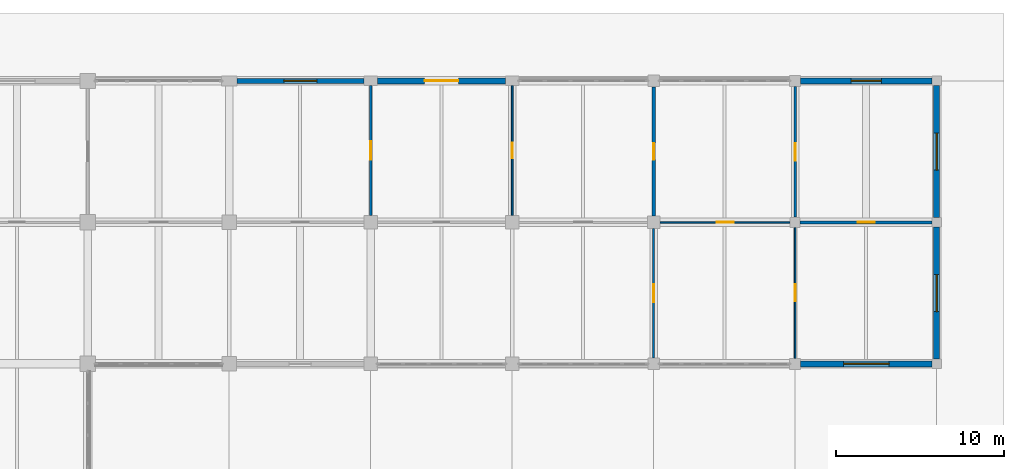
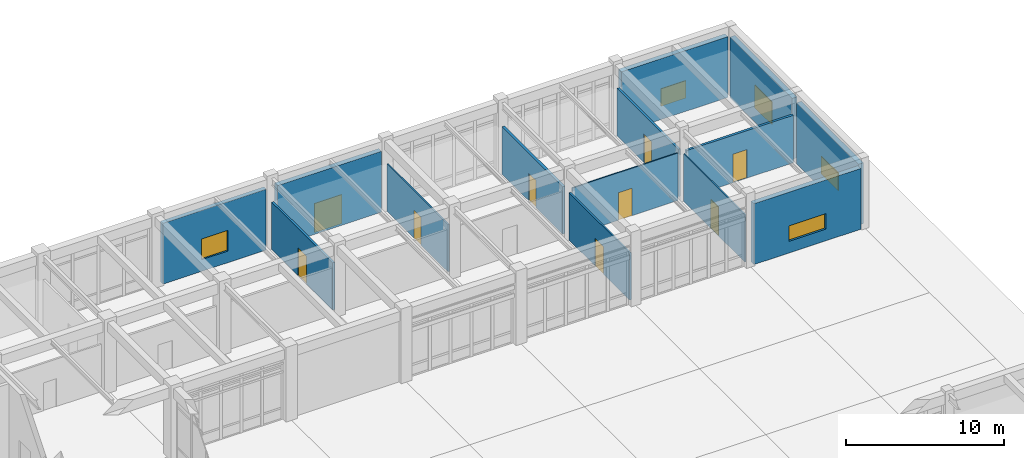
# One storey, part 82 of 91: 14 walls, 9 doors, 5 windows, 14 openings.
"""IFC4 building model written with IfcOpenShell, lengths in metres."""

from ifc_helpers import new_model, si_unit, direction, frame, frame_2d, origin, place, context, subcontext, project, spatial, rectangle, extrude, material, layer, layer_set, type_object, element, fill, save


model = new_model("IFC4")

# Units and contexts
model_context = context("Model", 3, precision=1e-05, world=origin(), true_north=direction((0.0, 1.0)))
body_context = subcontext(model_context, "Body", "Model", "MODEL_VIEW")
ifc_project = project(units=[si_unit("LENGTHUNIT", "METRE"), si_unit("AREAUNIT", "SQUARE_METRE"), si_unit("VOLUMEUNIT", "CUBIC_METRE"), si_unit("PLANEANGLEUNIT", "RADIAN"), si_unit("MASSUNIT", "GRAM", prefix="KILO")], contexts=[model_context])

# Site, building, storey
site_placement = place(None, origin())
site = spatial("IfcSite", under=ifc_project, at=site_placement, CompositionType="ELEMENT")
building_placement = place(site_placement, origin())
building = spatial("IfcBuilding", under=site, at=building_placement, Name="Porcellanite Civic Hall", CompositionType="ELEMENT")
storey_placement = place(building_placement, origin())
storey = spatial("IfcBuildingStorey", under=building, at=storey_placement, Name="L00", CompositionType="ELEMENT", Elevation=0.0)

# Wall, opening, window
ifc_material_1 = material(Name="Precast concrete N40 (40 MPa)", Category="concrete")
ifc_layer_1 = layer(ifc_material_1, 0.300048828125)
ifc_layer_set_1 = layer_set([ifc_layer_1], Name="Precast concrete N40 (40 MPa)")
wall_type_1 = type_object("IfcWallType", Name="EW-ADM300", PredefinedType="SOLIDWALL", material=ifc_layer_set_1)
wall_1_placement = place(storey_placement, frame((134.85107421875, 117.60009765625, 0.0), z_axis=(0.0, 0.0, 1.0), x_axis=(1.0, 0.0, 0.0)))
wall_1 = element("IfcWall", 1, at=wall_1_placement, inside=storey, type_object=wall_type_1, Name="Exterior wall L00 N 17-14", PredefinedType="SOLIDWALL", context=body_context, shape_type="SweptSolid", body=[
    extrude(rectangle(XDim=7.5478515625, YDim=0.300048828125, at=frame_2d((3.77392578125, 0.0))), origin(), (0.0, 0.0, 1.0), 4.699951171875),
])
opening_1_placement = place(wall_1_placement, frame((2.799072265625, 0.0, 0.89990234375)))
opening_1 = element("IfcOpeningElement", 2, at=opening_1_placement, cuts=wall_1, Name="Opening W35", PredefinedType="OPENING", context=body_context, shape_type="SweptSolid", body=[
    extrude(rectangle(XDim=1.949951171875, YDim=1.60009765625, at=frame_2d((0.97509765625, 0.800048828125))), frame((0.0, 0.14990234375, 0.0), z_axis=(0.0, -1.0, 0.0), x_axis=(1.0, 0.0, 0.0)), (0.0, 0.0, 1.0), 0.300048828125),
])
ifc_material_2 = material(Name="Cyclone laminated low-E glazing in anodised aluminium frame", Category="aluminium")
window_type_1 = type_object("IfcWindowType", Name="WN-35", PartitioningType="DOUBLE_PANEL_VERTICAL", PredefinedType="WINDOW", material=ifc_material_2)
window_1_placement = place(opening_1_placement, origin())
window_1 = element("IfcWindow", 3, at=window_1_placement, inside=storey, type_object=window_type_1, Name="Window W35 L00 N 17-14", OverallHeight=1.60009765625, OverallWidth=1.949951171875, PartitioningType="SINGLE_PANEL", PredefinedType="WINDOW", context=body_context, shape_type="SweptSolid", body=[
    extrude(rectangle(XDim=1.949951171875, YDim=1.60009765625, at=frame_2d((0.97509765625, 0.800048828125))), frame((0.0, 0.030029296875, 0.0), z_axis=(0.0, -1.0, 0.0), x_axis=(1.0, 0.0, 0.0)), (0.0, 0.0, 1.0), 0.06005859375),
])
fill(opening_1, window_1)

# Wall, opening, door
ifc_material_3 = material(Name="Precast concrete N40 (40 MPa)", Category="concrete")
ifc_layer_2 = layer(ifc_material_3, 0.360107421875)
ifc_layer_set_2 = layer_set([ifc_layer_2], Name="Precast concrete N40 (40 MPa)")
wall_type_2 = type_object("IfcWallType", Name="EW-LIB360", PredefinedType="SOLIDWALL", material=ifc_layer_set_2)
wall_2_placement = place(storey_placement, frame((143.200927734375, 117.60009765625, 0.0), z_axis=(0.0, 0.0, 1.0), x_axis=(1.0, 0.0, 0.0)))
wall_2 = element("IfcWall", 4, at=wall_2_placement, inside=storey, type_object=wall_type_2, Name="Exterior wall L00 N 18-14", PredefinedType="SOLIDWALL", context=body_context, shape_type="SweptSolid", body=[
    extrude(rectangle(XDim=7.59814453125, YDim=0.360107421875, at=frame_2d((3.799072265625, 0.0))), origin(), (0.0, 0.0, 1.0), 4.699951171875),
])
opening_2_placement = place(wall_2_placement, frame((2.799072265625, 0.0, 0.0)))
opening_2 = element("IfcOpeningElement", 5, at=opening_2_placement, cuts=wall_2, Name="Opening ED-20", PredefinedType="OPENING", context=body_context, shape_type="SweptSolid", body=[
    extrude(rectangle(XDim=2.0, YDim=2.25, at=frame_2d((1.0, 1.125))), frame((0.0, 0.18017578125, 0.0), z_axis=(0.0, -1.0, 0.0), x_axis=(1.0, 0.0, 0.0)), (0.0, 0.0, 1.0), 0.360107421875),
])
ifc_material_4 = material(Name="Anodised aluminium and laminated safety glass", Category="aluminium")
door_type_1 = type_object("IfcDoorType", Name="DR-EXIT180", OperationType="DOUBLE_DOOR_SINGLE_SWING", PredefinedType="DOOR", material=ifc_material_4)
door_1_placement = place(opening_2_placement, origin())
door_1 = element("IfcDoor", 6, at=door_1_placement, inside=storey, type_object=door_type_1, Name="Pedestrian final exit door ED-20", OperationType="DOUBLE_DOOR_SINGLE_SWING", OverallHeight=2.25, OverallWidth=2.0, PredefinedType="DOOR", context=body_context, shape_type="SweptSolid", body=[
    extrude(rectangle(XDim=2.0, YDim=2.25, at=frame_2d((1.0, 1.125))), frame((0.0, 0.02490234375, 0.0), z_axis=(0.0, -1.0, 0.0), x_axis=(1.0, 0.0, 0.0)), (0.0, 0.0, 1.0), 0.050048828125),
])
fill(opening_2, door_1)

# Wall, opening, window
wall_3_placement = place(storey_placement, frame((176.1240234375, 100.800048828125, 0.0), z_axis=(0.0, 0.0, 1.0), x_axis=(-1.0, 0.0, 0.0)))
wall_3 = element("IfcWall", 7, at=wall_3_placement, inside=storey, type_object=wall_type_2, Name="Exterior wall L00 S 21-13", PredefinedType="SOLIDWALL", context=body_context, shape_type="SweptSolid", body=[
    extrude(rectangle(XDim=7.798095703125, YDim=0.360107421875, at=frame_2d((3.89892578125, 0.0))), origin(), (0.0, 0.0, 1.0), 4.699951171875),
])
opening_3_placement = place(wall_3_placement, frame((2.549072265625, 0.0, 0.89990234375)))
opening_3 = element("IfcOpeningElement", 8, at=opening_3_placement, cuts=wall_3, Name="Opening W10", PredefinedType="OPENING", context=body_context, shape_type="SweptSolid", body=[
    extrude(rectangle(XDim=2.699951171875, YDim=1.199951171875, at=frame_2d((1.35009765625, 0.60009765625))), frame((0.0, 0.18017578125, 0.0), z_axis=(0.0, -1.0, 0.0), x_axis=(1.0, 0.0, 0.0)), (0.0, 0.0, 1.0), 0.360107421875),
])
ifc_material_5 = material(Name="Cyclone laminated low-E glazing in anodised aluminium frame", Category="aluminium")
window_type_2 = type_object("IfcWindowType", Name="WN-10", PartitioningType="DOUBLE_PANEL_HORIZONTAL", PredefinedType="WINDOW", material=ifc_material_5)
window_2_placement = place(opening_3_placement, origin())
window_2 = element("IfcWindow", 9, at=window_2_placement, inside=storey, type_object=window_type_2, Name="Window W10 L00 S 21-13", OverallHeight=1.199951171875, OverallWidth=2.699951171875, PartitioningType="SINGLE_PANEL", PredefinedType="WINDOW", context=body_context, shape_type="SweptSolid", body=[
    extrude(rectangle(XDim=2.699951171875, YDim=1.199951171875, at=frame_2d((1.35009765625, 0.60009765625))), frame((0.0, 0.030029296875, 0.0), z_axis=(0.0, -1.0, 0.0), x_axis=(1.0, 0.0, 0.0)), (0.0, 0.0, 1.0), 0.06005859375),
])
fill(opening_3, window_2)

wall_4_placement = place(storey_placement, frame((176.39990234375, 108.924072265625, 0.0), z_axis=(0.0, 0.0, 1.0), x_axis=(0.0, -1.0, 0.0)))
wall_4 = element("IfcWall", 10, at=wall_4_placement, inside=storey, type_object=wall_type_2, Name="Exterior wall L00 E 21-13", PredefinedType="SOLIDWALL", context=body_context, shape_type="SweptSolid", body=[
    extrude(rectangle(XDim=7.84814453125, YDim=0.360107421875, at=frame_2d((3.924072265625, 0.0))), origin(), (0.0, 0.0, 1.0), 4.699951171875),
])
opening_4_placement = place(wall_4_placement, frame((2.823974609375, 0.0, 0.89990234375)))
opening_4 = element("IfcOpeningElement", 11, at=opening_4_placement, cuts=wall_4, Name="Opening W11", PredefinedType="OPENING", context=body_context, shape_type="SweptSolid", body=[
    extrude(rectangle(XDim=2.199951171875, YDim=1.35009765625, at=frame_2d((1.10009765625, 0.675048828125))), frame((0.0, 0.18017578125, 0.0), z_axis=(0.0, -1.0, 0.0), x_axis=(1.0, 0.0, 0.0)), (0.0, 0.0, 1.0), 0.360107421875),
])
ifc_material_6 = material(Name="Cyclone laminated low-E glazing in anodised aluminium frame", Category="aluminium")
window_type_3 = type_object("IfcWindowType", Name="WN-11", PartitioningType="DOUBLE_PANEL_HORIZONTAL", PredefinedType="WINDOW", material=ifc_material_6)
window_3_placement = place(opening_4_placement, origin())
window_3 = element("IfcWindow", 12, at=window_3_placement, inside=storey, type_object=window_type_3, Name="Window W11 L00 E 21-13", OverallHeight=1.35009765625, OverallWidth=2.199951171875, PartitioningType="SINGLE_PANEL", PredefinedType="WINDOW", context=body_context, shape_type="SweptSolid", body=[
    extrude(rectangle(XDim=2.199951171875, YDim=1.35009765625, at=frame_2d((1.10009765625, 0.675048828125))), frame((0.0, 0.030029296875, 0.0), z_axis=(0.0, -1.0, 0.0), x_axis=(1.0, 0.0, 0.0)), (0.0, 0.0, 1.0), 0.06005859375),
])
fill(opening_4, window_3)

wall_5_placement = place(storey_placement, frame((168.325927734375, 117.60009765625, 0.0), z_axis=(0.0, 0.0, 1.0), x_axis=(1.0, 0.0, 0.0)))
wall_5 = element("IfcWall", 13, at=wall_5_placement, inside=storey, type_object=wall_type_2, Name="Exterior wall L00 N 21-14", PredefinedType="SOLIDWALL", context=body_context, shape_type="SweptSolid", body=[
    extrude(rectangle(XDim=7.798095703125, YDim=0.360107421875, at=frame_2d((3.89892578125, 0.0))), origin(), (0.0, 0.0, 1.0), 4.699951171875),
])
opening_5_placement = place(wall_5_placement, frame((2.9990234375, 0.0, 0.89990234375)))
opening_5 = element("IfcOpeningElement", 14, at=opening_5_placement, cuts=wall_5, Name="Opening W12", PredefinedType="OPENING", context=body_context, shape_type="SweptSolid", body=[
    extrude(rectangle(XDim=1.800048828125, YDim=1.35009765625, at=frame_2d((0.89990234375, 0.675048828125))), frame((0.0, 0.18017578125, 0.0), z_axis=(0.0, -1.0, 0.0), x_axis=(1.0, 0.0, 0.0)), (0.0, 0.0, 1.0), 0.360107421875),
])
ifc_material_7 = material(Name="Cyclone laminated low-E glazing in anodised aluminium frame", Category="aluminium")
window_type_4 = type_object("IfcWindowType", Name="WN-12", PartitioningType="DOUBLE_PANEL_VERTICAL", PredefinedType="WINDOW", material=ifc_material_7)
window_4_placement = place(opening_5_placement, origin())
window_4 = element("IfcWindow", 15, at=window_4_placement, inside=storey, type_object=window_type_4, Name="Window W12 L00 N 21-14", OverallHeight=1.35009765625, OverallWidth=1.800048828125, PartitioningType="SINGLE_PANEL", PredefinedType="WINDOW", context=body_context, shape_type="SweptSolid", body=[
    extrude(rectangle(XDim=1.800048828125, YDim=1.35009765625, at=frame_2d((0.89990234375, 0.675048828125))), frame((0.0, 0.030029296875, 0.0), z_axis=(0.0, -1.0, 0.0), x_axis=(1.0, 0.0, 0.0)), (0.0, 0.0, 1.0), 0.06005859375),
])
fill(opening_5, window_4)

wall_6_placement = place(storey_placement, frame((176.39990234375, 117.323974609375, 0.0), z_axis=(0.0, 0.0, 1.0), x_axis=(0.0, -1.0, 0.0)))
wall_6 = element("IfcWall", 16, at=wall_6_placement, inside=storey, type_object=wall_type_2, Name="Exterior wall L00 E 21-14", PredefinedType="SOLIDWALL", context=body_context, shape_type="SweptSolid", body=[
    extrude(rectangle(XDim=7.847900390625, YDim=0.360107421875, at=frame_2d((3.923828125, 0.0))), origin(), (0.0, 0.0, 1.0), 4.699951171875),
])
opening_6_placement = place(wall_6_placement, frame((2.823974609375, 0.0, 0.89990234375)))
opening_6 = element("IfcOpeningElement", 17, at=opening_6_placement, cuts=wall_6, Name="Opening W13", PredefinedType="OPENING", context=body_context, shape_type="SweptSolid", body=[
    extrude(rectangle(XDim=2.199951171875, YDim=1.75, at=frame_2d((1.10009765625, 0.875))), frame((0.0, 0.18017578125, 0.0), z_axis=(0.0, -1.0, 0.0), x_axis=(1.0, 0.0, 0.0)), (0.0, 0.0, 1.0), 0.360107421875),
])
ifc_material_8 = material(Name="Cyclone laminated low-E glazing in anodised aluminium frame", Category="aluminium")
window_type_5 = type_object("IfcWindowType", Name="WN-13", PartitioningType="DOUBLE_PANEL_VERTICAL", PredefinedType="WINDOW", material=ifc_material_8)
window_5_placement = place(opening_6_placement, origin())
window_5 = element("IfcWindow", 18, at=window_5_placement, inside=storey, type_object=window_type_5, Name="Window W13 L00 E 21-14", OverallHeight=1.75, OverallWidth=2.199951171875, PartitioningType="SINGLE_PANEL", PredefinedType="WINDOW", context=body_context, shape_type="SweptSolid", body=[
    extrude(rectangle(XDim=2.199951171875, YDim=1.75, at=frame_2d((1.10009765625, 0.875))), frame((0.0, 0.030029296875, 0.0), z_axis=(0.0, -1.0, 0.0), x_axis=(1.0, 0.0, 0.0)), (0.0, 0.0, 1.0), 0.06005859375),
])
fill(opening_6, window_5)

# Wall, opening, door
ifc_material_9 = material(Name="Fire-rated plasterboard on light-gauge steel studs", Category="steel")
ifc_layer_3 = layer(ifc_material_9, 0.159912109375)
ifc_layer_set_3 = layer_set([ifc_layer_3], Name="Fire-rated plasterboard on light-gauge steel studs")
wall_type_3 = type_object("IfcWallType", Name="IW-FR160", PredefinedType="PARTITIONING", material=ifc_layer_set_3)
wall_7_placement = place(storey_placement, frame((142.800048828125, 109.60205078125, 0.0), z_axis=(0.0, 0.0, 1.0), x_axis=(0.0, 1.0, 0.0)))
wall_7 = element("IfcWall", 19, at=wall_7_placement, inside=storey, type_object=wall_type_3, Name="Fire compartment wall L00 V 17-14", PredefinedType="PARTITIONING", context=body_context, shape_type="SweptSolid", body=[
    extrude(rectangle(XDim=7.720947265625, YDim=0.159912109375, at=frame_2d((3.8603515625, 0.0))), origin(), (0.0, 0.0, 1.0), 3.659912109375),
])
opening_7_placement = place(wall_7_placement, frame((3.31103515625, 0.0, 0.0)))
opening_7 = element("IfcOpeningElement", 20, at=opening_7_placement, cuts=wall_7, Name="Opening D-L00-132", PredefinedType="OPENING", context=body_context, shape_type="SweptSolid", body=[
    extrude(rectangle(XDim=1.10009765625, YDim=2.14990234375, at=frame_2d((0.550048828125, 1.074951171875))), frame((0.0, 0.080078125, 0.0), z_axis=(0.0, -1.0, 0.0), x_axis=(1.0, 0.0, 0.0)), (0.0, 0.0, 1.0), 0.159912109375),
])
ifc_material_10 = material(Name="Fire-rated solid-core hardwood timber", Category="wood")
door_type_2 = type_object("IfcDoorType", Name="DR-FD110", OperationType="NOTDEFINED", PredefinedType="DOOR", material=ifc_material_10)
door_2_placement = place(opening_7_placement, origin())
door_2 = element("IfcDoor", 21, at=door_2_placement, inside=storey, type_object=door_type_2, Name="Interior door D-L00-132", OperationType="SINGLE_SWING_RIGHT", OverallHeight=2.14990234375, OverallWidth=1.10009765625, PredefinedType="DOOR", context=body_context, shape_type="SweptSolid", body=[
    extrude(rectangle(XDim=1.10009765625, YDim=2.14990234375, at=frame_2d((0.550048828125, 1.074951171875))), frame((0.0, 0.02490234375, 0.0), z_axis=(0.0, -1.0, 0.0), x_axis=(1.0, 0.0, 0.0)), (0.0, 0.0, 1.0), 0.050048828125),
])
fill(opening_7, door_2)

ifc_material_11 = material(Name="Insulated acoustic plasterboard on light-gauge steel studs", Category="steel")
ifc_layer_4 = layer(ifc_material_11, 0.094970703125)
ifc_layer_set_4 = layer_set([ifc_layer_4], Name="Insulated acoustic plasterboard on light-gauge steel studs")
wall_type_4 = type_object("IfcWallType", Name="IW-PT095", PredefinedType="PARTITIONING", material=ifc_layer_set_4)
wall_8_placement = place(storey_placement, frame((159.97705078125, 109.199951171875, 0.0), z_axis=(0.0, 0.0, 1.0), x_axis=(1.0, 0.0, 0.0)))
wall_8 = element("IfcWall", 22, at=wall_8_placement, inside=storey, type_object=wall_type_4, Name="Partition L00 H 20-13", PredefinedType="PARTITIONING", context=body_context, shape_type="SweptSolid", body=[
    extrude(rectangle(XDim=7.720947265625, YDim=0.094970703125, at=frame_2d((3.8603515625, 0.0))), origin(), (0.0, 0.0, 1.0), 3.659912109375),
])
opening_8_placement = place(wall_8_placement, frame((3.35595703125, 0.0, 0.0)))
opening_8 = element("IfcOpeningElement", 23, at=opening_8_placement, cuts=wall_8, Name="Opening D-L00-114", PredefinedType="OPENING", context=body_context, shape_type="SweptSolid", body=[
    extrude(rectangle(XDim=1.010009765625, YDim=2.1201171875, at=frame_2d((0.5048828125, 1.06005859375))), frame((0.0, 0.04736328125, 0.0), z_axis=(0.0, -1.0, 0.0), x_axis=(1.0, 0.0, 0.0)), (0.0, 0.0, 1.0), 0.094970703125),
])
ifc_material_12 = material(Name="Solid-core spotted-gum timber", Category="wood")
door_type_3 = type_object("IfcDoorType", Name="DR-RM101", OperationType="NOTDEFINED", PredefinedType="DOOR", material=ifc_material_12)
door_3_placement = place(opening_8_placement, origin())
door_3 = element("IfcDoor", 24, at=door_3_placement, inside=storey, type_object=door_type_3, Name="Interior door D-L00-114", OperationType="SINGLE_SWING_LEFT", OverallHeight=2.1201171875, OverallWidth=1.010009765625, PredefinedType="DOOR", context=body_context, shape_type="SweptSolid", body=[
    extrude(rectangle(XDim=1.010009765625, YDim=2.1201171875, at=frame_2d((0.5048828125, 1.06005859375))), frame((0.0, 0.02490234375, 0.0), z_axis=(0.0, -1.0, 0.0), x_axis=(1.0, 0.0, 0.0)), (0.0, 0.0, 1.0), 0.050048828125),
])
fill(opening_8, door_3)

wall_9_placement = place(storey_placement, frame((168.0, 101.126953125, 0.0), z_axis=(0.0, 0.0, 1.0), x_axis=(0.0, 1.0, 0.0)))
wall_9 = element("IfcWall", 25, at=wall_9_placement, inside=storey, type_object=wall_type_4, Name="Partition L00 V 20-13", PredefinedType="PARTITIONING", context=body_context, shape_type="SweptSolid", body=[
    extrude(rectangle(XDim=7.77099609375, YDim=0.094970703125, at=frame_2d((3.885498046875, 0.0))), origin(), (0.0, 0.0, 1.0), 3.659912109375),
])
opening_9_placement = place(wall_9_placement, frame((3.385009765625, 0.0, 0.0)))
opening_9 = element("IfcOpeningElement", 26, at=opening_9_placement, cuts=wall_9, Name="Opening D-L00-134", PredefinedType="OPENING", context=body_context, shape_type="SweptSolid", body=[
    extrude(rectangle(XDim=1.0, YDim=2.199951171875, at=frame_2d((0.5, 1.10009765625))), frame((0.0, 0.04736328125, 0.0), z_axis=(0.0, -1.0, 0.0), x_axis=(1.0, 0.0, 0.0)), (0.0, 0.0, 1.0), 0.094970703125),
])
ifc_material_13 = material(Name="Solid-core spotted-gum timber", Category="wood")
door_type_4 = type_object("IfcDoorType", Name="DR-RM100", OperationType="NOTDEFINED", PredefinedType="DOOR", material=ifc_material_13)
door_4_placement = place(opening_9_placement, origin())
door_4 = element("IfcDoor", 27, at=door_4_placement, inside=storey, type_object=door_type_4, Name="Interior door D-L00-134", OperationType="SINGLE_SWING_RIGHT", OverallHeight=2.199951171875, OverallWidth=1.0, PredefinedType="DOOR", context=body_context, shape_type="SweptSolid", body=[
    extrude(rectangle(XDim=1.0, YDim=2.199951171875, at=frame_2d((0.5, 1.10009765625))), frame((0.0, 0.02490234375, 0.0), z_axis=(0.0, -1.0, 0.0), x_axis=(1.0, 0.0, 0.0)), (0.0, 0.0, 1.0), 0.050048828125),
])
fill(opening_9, door_4)

ifc_material_14 = material(Name="Insulated acoustic plasterboard on light-gauge steel studs", Category="steel")
ifc_layer_5 = layer(ifc_material_14, 0.10498046875)
ifc_layer_set_5 = layer_set([ifc_layer_5], Name="Insulated acoustic plasterboard on light-gauge steel studs")
wall_type_5 = type_object("IfcWallType", Name="IW-PT105", PredefinedType="PARTITIONING", material=ifc_layer_set_5)
wall_10_placement = place(storey_placement, frame((151.199951171875, 109.60205078125, 0.0), z_axis=(0.0, 0.0, 1.0), x_axis=(0.0, 1.0, 0.0)))
wall_10 = element("IfcWall", 28, at=wall_10_placement, inside=storey, type_object=wall_type_5, Name="Partition L00 V 18-14", PredefinedType="PARTITIONING", context=body_context, shape_type="SweptSolid", body=[
    extrude(rectangle(XDim=7.720947265625, YDim=0.10498046875, at=frame_2d((3.8603515625, 0.0))), origin(), (0.0, 0.0, 1.0), 3.659912109375),
])
opening_10_placement = place(wall_10_placement, frame((3.40087890625, 0.0, 0.0)))
opening_10 = element("IfcOpeningElement", 29, at=opening_10_placement, cuts=wall_10, Name="Opening D-L00-164", PredefinedType="OPENING", context=body_context, shape_type="SweptSolid", body=[
    extrude(rectangle(XDim=0.919921875, YDim=2.14990234375, at=frame_2d((0.4599609375, 1.074951171875))), frame((0.0, 0.052490234375, 0.0), z_axis=(0.0, -1.0, 0.0), x_axis=(1.0, 0.0, 0.0)), (0.0, 0.0, 1.0), 0.10498046875),
])
ifc_material_15 = material(Name="Solid-core spotted-gum timber", Category="wood")
door_type_5 = type_object("IfcDoorType", Name="DR-RM092", OperationType="NOTDEFINED", PredefinedType="DOOR", material=ifc_material_15)
door_5_placement = place(opening_10_placement, origin())
door_5 = element("IfcDoor", 30, at=door_5_placement, inside=storey, type_object=door_type_5, Name="Interior door D-L00-164", OperationType="SINGLE_SWING_RIGHT", OverallHeight=2.14990234375, OverallWidth=0.919921875, PredefinedType="DOOR", context=body_context, shape_type="SweptSolid", body=[
    extrude(rectangle(XDim=0.919921875, YDim=2.14990234375, at=frame_2d((0.4599609375, 1.074951171875))), frame((0.0, 0.02490234375, 0.0), z_axis=(0.0, -1.0, 0.0), x_axis=(1.0, 0.0, 0.0)), (0.0, 0.0, 1.0), 0.050048828125),
])
fill(opening_10, door_5)

ifc_material_16 = material(Name="Insulated acoustic plasterboard on light-gauge steel studs", Category="steel")
ifc_layer_6 = layer(ifc_material_16, 0.125)
ifc_layer_set_6 = layer_set([ifc_layer_6], Name="Insulated acoustic plasterboard on light-gauge steel studs")
wall_type_6 = type_object("IfcWallType", Name="IW-PT125", PredefinedType="PARTITIONING", material=ifc_layer_set_6)
wall_11_placement = place(storey_placement, frame((159.60009765625, 101.152099609375, 0.0), z_axis=(0.0, 0.0, 1.0), x_axis=(0.0, 1.0, 0.0)))
wall_11 = element("IfcWall", 31, at=wall_11_placement, inside=storey, type_object=wall_type_6, Name="Partition L00 V 19-13", PredefinedType="PARTITIONING", context=body_context, shape_type="SweptSolid", body=[
    extrude(rectangle(XDim=7.6708984375, YDim=0.125, at=frame_2d((3.83544921875, 0.0))), origin(), (0.0, 0.0, 1.0), 3.659912109375),
])
opening_11_placement = place(wall_11_placement, frame((3.31103515625, 0.0, 0.0)))
opening_11 = element("IfcOpeningElement", 32, at=opening_11_placement, cuts=wall_11, Name="Opening D-L00-087", PredefinedType="OPENING", context=body_context, shape_type="SweptSolid", body=[
    extrude(rectangle(XDim=1.050048828125, YDim=2.1201171875, at=frame_2d((0.52490234375, 1.06005859375))), frame((0.0, 0.0625, 0.0), z_axis=(0.0, -1.0, 0.0), x_axis=(1.0, 0.0, 0.0)), (0.0, 0.0, 1.0), 0.125),
])
ifc_material_17 = material(Name="Solid-core spotted-gum timber", Category="wood")
door_type_6 = type_object("IfcDoorType", Name="DR-RM105", OperationType="NOTDEFINED", PredefinedType="DOOR", material=ifc_material_17)
door_6_placement = place(opening_11_placement, origin())
door_6 = element("IfcDoor", 33, at=door_6_placement, inside=storey, type_object=door_type_6, Name="Interior door D-L00-087", OperationType="SINGLE_SWING_RIGHT", OverallHeight=2.1201171875, OverallWidth=1.050048828125, PredefinedType="DOOR", context=body_context, shape_type="SweptSolid", body=[
    extrude(rectangle(XDim=1.050048828125, YDim=2.1201171875, at=frame_2d((0.52490234375, 1.06005859375))), frame((0.0, 0.02490234375, 0.0), z_axis=(0.0, -1.0, 0.0), x_axis=(1.0, 0.0, 0.0)), (0.0, 0.0, 1.0), 0.050048828125),
])
fill(opening_11, door_6)

ifc_material_18 = material(Name="Insulated acoustic plasterboard on light-gauge steel studs", Category="steel")
ifc_layer_7 = layer(ifc_material_18, 0.1650390625)
ifc_layer_set_7 = layer_set([ifc_layer_7], Name="Insulated acoustic plasterboard on light-gauge steel studs")
wall_type_7 = type_object("IfcWallType", Name="IW-PT165", PredefinedType="PARTITIONING", material=ifc_layer_set_7)
wall_12_placement = place(storey_placement, frame((168.0, 109.501953125, 0.0), z_axis=(0.0, 0.0, 1.0), x_axis=(0.0, 1.0, 0.0)))
wall_12 = element("IfcWall", 34, at=wall_12_placement, inside=storey, type_object=wall_type_7, Name="Partition L00 V 20-14", PredefinedType="PARTITIONING", context=body_context, shape_type="SweptSolid", body=[
    extrude(rectangle(XDim=7.77099609375, YDim=0.1650390625, at=frame_2d((3.885498046875, 0.0))), origin(), (0.0, 0.0, 1.0), 3.659912109375),
])
opening_12_placement = place(wall_12_placement, frame((3.364990234375, 0.0, 0.0)))
opening_12 = element("IfcOpeningElement", 35, at=opening_12_placement, cuts=wall_12, Name="Opening D-L00-171", PredefinedType="OPENING", context=body_context, shape_type="SweptSolid", body=[
    extrude(rectangle(XDim=1.0400390625, YDim=2.199951171875, at=frame_2d((0.52001953125, 1.10009765625))), frame((0.0, 0.08251953125, 0.0), z_axis=(0.0, -1.0, 0.0), x_axis=(1.0, 0.0, 0.0)), (0.0, 0.0, 1.0), 0.1650390625),
])
ifc_material_19 = material(Name="Solid-core spotted-gum timber", Category="wood")
door_type_7 = type_object("IfcDoorType", Name="DR-RM104", OperationType="NOTDEFINED", PredefinedType="DOOR", material=ifc_material_19)
door_7_placement = place(opening_12_placement, origin())
door_7 = element("IfcDoor", 36, at=door_7_placement, inside=storey, type_object=door_type_7, Name="Interior door D-L00-171", OperationType="SINGLE_SWING_LEFT", OverallHeight=2.199951171875, OverallWidth=1.0400390625, PredefinedType="DOOR", context=body_context, shape_type="SweptSolid", body=[
    extrude(rectangle(XDim=1.0400390625, YDim=2.199951171875, at=frame_2d((0.52001953125, 1.10009765625))), frame((0.0, 0.02490234375, 0.0), z_axis=(0.0, -1.0, 0.0), x_axis=(1.0, 0.0, 0.0)), (0.0, 0.0, 1.0), 0.050048828125),
])
fill(opening_12, door_7)

ifc_material_20 = material(Name="Insulated acoustic plasterboard on light-gauge steel studs", Category="steel")
ifc_layer_8 = layer(ifc_material_20, 0.18505859375)
ifc_layer_set_8 = layer_set([ifc_layer_8], Name="Insulated acoustic plasterboard on light-gauge steel studs")
wall_type_8 = type_object("IfcWallType", Name="IW-PT185", PredefinedType="PARTITIONING", material=ifc_layer_set_8)
wall_13_placement = place(storey_placement, frame((168.302001953125, 109.199951171875, 0.0), z_axis=(0.0, 0.0, 1.0), x_axis=(1.0, 0.0, 0.0)))
wall_13 = element("IfcWall", 37, at=wall_13_placement, inside=storey, type_object=wall_type_8, Name="Partition L00 H 21-13", PredefinedType="PARTITIONING", context=body_context, shape_type="SweptSolid", body=[
    extrude(rectangle(XDim=7.821044921875, YDim=0.18505859375, at=frame_2d((3.91064453125, 0.0))), origin(), (0.0, 0.0, 1.0), 3.659912109375),
])
opening_13_placement = place(wall_13_placement, frame((3.40087890625, 0.0, 0.0)))
opening_13 = element("IfcOpeningElement", 38, at=opening_13_placement, cuts=wall_13, Name="Opening D-L00-120", PredefinedType="OPENING", context=body_context, shape_type="SweptSolid", body=[
    extrude(rectangle(XDim=1.02001953125, YDim=2.199951171875, at=frame_2d((0.510009765625, 1.10009765625))), frame((0.0, 0.092529296875, 0.0), z_axis=(0.0, -1.0, 0.0), x_axis=(1.0, 0.0, 0.0)), (0.0, 0.0, 1.0), 0.18505859375),
])
ifc_material_21 = material(Name="Solid-core spotted-gum timber", Category="wood")
door_type_8 = type_object("IfcDoorType", Name="DR-RM102", OperationType="NOTDEFINED", PredefinedType="DOOR", material=ifc_material_21)
door_8_placement = place(opening_13_placement, origin())
door_8 = element("IfcDoor", 39, at=door_8_placement, inside=storey, type_object=door_type_8, Name="Interior door D-L00-120", OperationType="SINGLE_SWING_LEFT", OverallHeight=2.199951171875, OverallWidth=1.02001953125, PredefinedType="DOOR", context=body_context, shape_type="SweptSolid", body=[
    extrude(rectangle(XDim=1.02001953125, YDim=2.199951171875, at=frame_2d((0.510009765625, 1.10009765625))), frame((0.0, 0.02490234375, 0.0), z_axis=(0.0, -1.0, 0.0), x_axis=(1.0, 0.0, 0.0)), (0.0, 0.0, 1.0), 0.050048828125),
])
fill(opening_13, door_8)

ifc_material_22 = material(Name="Insulated acoustic plasterboard on light-gauge steel studs", Category="steel")
ifc_layer_9 = layer(ifc_material_22, 0.195068359375)
ifc_layer_set_9 = layer_set([ifc_layer_9], Name="Insulated acoustic plasterboard on light-gauge steel studs")
wall_type_9 = type_object("IfcWallType", Name="IW-PT195", PredefinedType="PARTITIONING", material=ifc_layer_set_9)
wall_14_placement = place(storey_placement, frame((159.60009765625, 109.576904296875, 0.0), z_axis=(0.0, 0.0, 1.0), x_axis=(0.0, 1.0, 0.0)))
wall_14 = element("IfcWall", 40, at=wall_14_placement, inside=storey, type_object=wall_type_9, Name="Partition L00 V 19-14", PredefinedType="PARTITIONING", context=body_context, shape_type="SweptSolid", body=[
    extrude(rectangle(XDim=7.671142578125, YDim=0.195068359375, at=frame_2d((3.83544921875, 0.0))), origin(), (0.0, 0.0, 1.0), 3.659912109375),
])
opening_14_placement = place(wall_14_placement, frame((3.35107421875, 0.0, 0.0)))
opening_14 = element("IfcOpeningElement", 41, at=opening_14_placement, cuts=wall_14, Name="Opening D-L00-167", PredefinedType="OPENING", context=body_context, shape_type="SweptSolid", body=[
    extrude(rectangle(XDim=0.969970703125, YDim=2.1201171875, at=frame_2d((0.48486328125, 1.06005859375))), frame((0.0, 0.09765625, 0.0), z_axis=(0.0, -1.0, 0.0), x_axis=(1.0, 0.0, 0.0)), (0.0, 0.0, 1.0), 0.195068359375),
])
ifc_material_23 = material(Name="Solid-core spotted-gum timber", Category="wood")
door_type_9 = type_object("IfcDoorType", Name="DR-RM097", OperationType="NOTDEFINED", PredefinedType="DOOR", material=ifc_material_23)
door_9_placement = place(opening_14_placement, origin())
door_9 = element("IfcDoor", 42, at=door_9_placement, inside=storey, type_object=door_type_9, Name="Interior door D-L00-167", OperationType="SINGLE_SWING_LEFT", OverallHeight=2.1201171875, OverallWidth=0.969970703125, PredefinedType="DOOR", context=body_context, shape_type="SweptSolid", body=[
    extrude(rectangle(XDim=0.969970703125, YDim=2.1201171875, at=frame_2d((0.48486328125, 1.06005859375))), frame((0.0, 0.02490234375, 0.0), z_axis=(0.0, -1.0, 0.0), x_axis=(1.0, 0.0, 0.0)), (0.0, 0.0, 1.0), 0.050048828125),
])
fill(opening_14, door_9)

save(model, "model.ifc")
